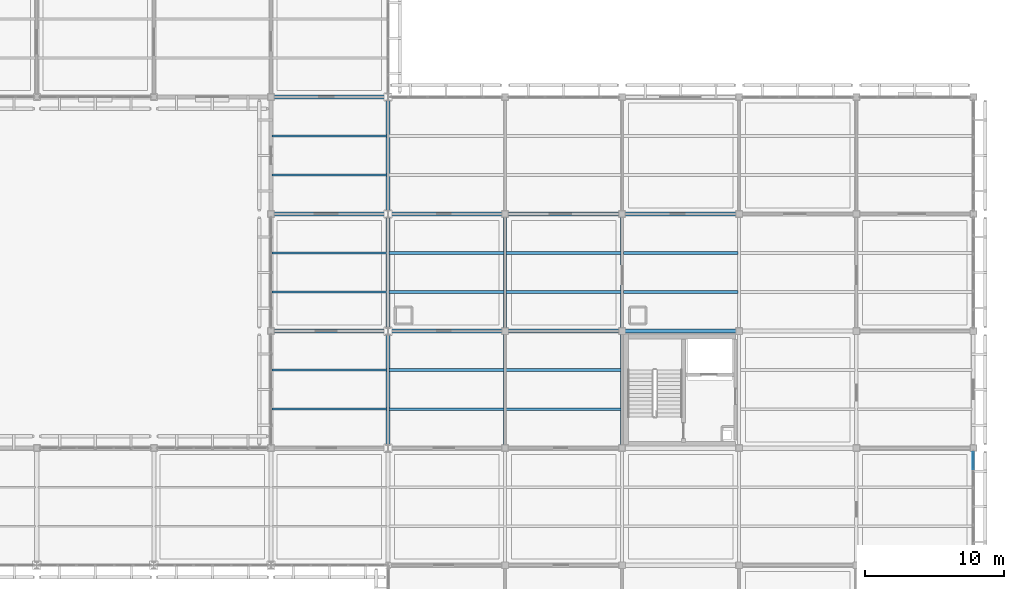
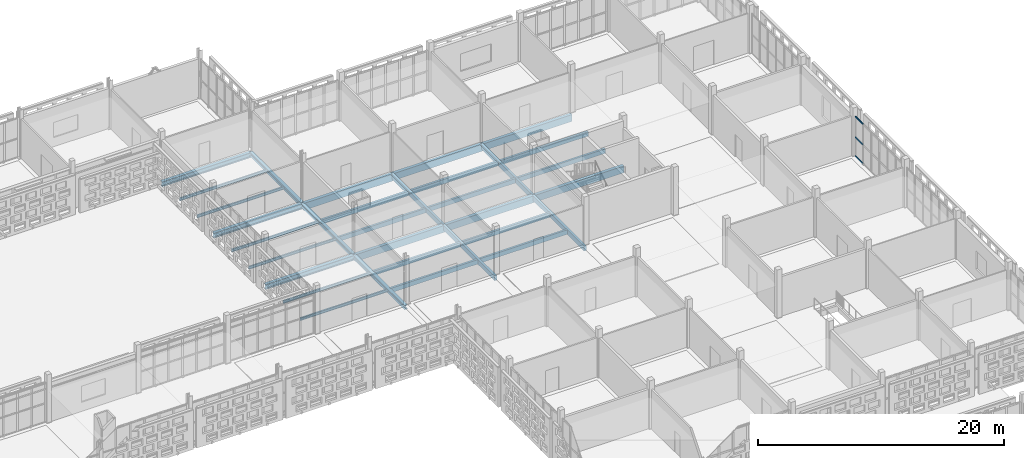
# One storey, part 82 of 203: 32 beams, 3 members, 1 element without a shape of its own.
"""IFC4 building model written with IfcOpenShell, lengths in metres."""

import ifcopenshell
import ifcopenshell.guid

model = None  # the IFC model being written
_history = None  # IfcOwnerHistory: only IFC2X3 demands one
_inside = {}  # id of a spatial element -> (the spatial element, [elements in it])
_under = {}  # id of a project, library or spatial element -> (it, [spatial elements below it])
_declared = {}  # id of a project -> (the project, [libraries it declares])
_typed = {}  # id of a type object -> (the type object, [elements of that type])
_made_of = {}  # id of a material, layer set ... -> (it, [elements and type objects made of it])


def new_model(schema):
    """Start an empty IFC model of exactly this schema.

    Asked for "IFC4X3", IfcOpenShell would pick the latest addendum, in which some entities
    have other attributes; the version numbers below select the first issue.
    IFC2X3 requires an IfcOwnerHistory on every rooted entity: one is made here for all.
    """
    global model, _history
    if schema == "IFC4X3":
        model = ifcopenshell.file(schema_version=(4, 3, 0, 0))
    else:
        model = ifcopenshell.file(schema=schema)
    _inside.clear()
    _under.clear()
    _declared.clear()
    _typed.clear()
    _made_of.clear()
    _history = None
    if model.schema == "IFC2X3":
        org = make("IfcOrganization", Name="unknown")
        user = make(
            "IfcPersonAndOrganization",
            ThePerson=make("IfcPerson", FamilyName="unknown"),
            TheOrganization=org,
        )
        app = make(
            "IfcApplication",
            ApplicationDeveloper=org,
            Version="unknown",
            ApplicationFullName="unknown",
            ApplicationIdentifier="unknown",
        )
        _history = make(
            "IfcOwnerHistory",
            OwningUser=user,
            OwningApplication=app,
            ChangeAction="ADDED",
            CreationDate=0,
        )
    return model


def make(cls, **values):
    """One entity of the class cls with the attributes given. An attribute that is None is left unset."""
    return model.create_entity(
        cls, **{name: value for name, value in values.items() if value is not None}
    )


def rooted(cls, **values):
    """An entity with a GlobalId (a new one), such as an element, a storey or a relation."""
    return make(cls, GlobalId=ifcopenshell.guid.new(), OwnerHistory=_history, **values)


def si_unit(unit_type, name, prefix=None):
    """IfcSIUnit, for example si_unit("LENGTHUNIT", "METRE", prefix="MILLI")."""
    return make("IfcSIUnit", UnitType=unit_type, Prefix=prefix, Name=name)


def assignment(units):
    """IfcUnitAssignment: the units of a project."""
    return None if units is None else make("IfcUnitAssignment", Units=units)


def point(xyz):
    """IfcCartesianPoint."""
    return None if xyz is None else make("IfcCartesianPoint", Coordinates=xyz)


def direction(xyz):
    """IfcDirection."""
    return None if xyz is None else make("IfcDirection", DirectionRatios=xyz)


def frame(location, z_axis=None, x_axis=None):
    """IfcAxis2Placement3D, a coordinate frame: its origin and axes. An axis left out is left unset."""
    return make(
        "IfcAxis2Placement3D",
        Location=point(location),
        Axis=direction(z_axis),
        RefDirection=direction(x_axis),
    )


def frame_2d(location, x_axis=None):
    """IfcAxis2Placement2D, a coordinate frame in the plane: its origin and x axis."""
    return make(
        "IfcAxis2Placement2D", Location=point(location), RefDirection=direction(x_axis)
    )


def origin():
    """The frame at (0, 0, 0) with its axes left unset."""
    return frame((0.0, 0.0, 0.0))


def origin_2d():
    """The frame at (0, 0) in the plane with its x axis left unset."""
    return frame_2d((0.0, 0.0))


def place(relative_to, where):
    """IfcLocalPlacement: puts the frame where relative to a parent placement (None: the world)."""
    return make(
        "IfcLocalPlacement", PlacementRelTo=relative_to, RelativePlacement=where
    )


def context(
    kind, dimensions, precision=None, world=None, true_north=None, identifier=None
):
    """IfcGeometricRepresentationContext, for example the 3D "Model" context."""
    return make(
        "IfcGeometricRepresentationContext",
        ContextIdentifier=identifier,
        ContextType=kind,
        CoordinateSpaceDimension=dimensions,
        Precision=precision,
        WorldCoordinateSystem=world,
        TrueNorth=true_north,
    )


def subcontext(parent, identifier, kind, view, scale=None):
    """IfcGeometricRepresentationSubContext, for example "Body" below "Model"."""
    return make(
        "IfcGeometricRepresentationSubContext",
        ContextIdentifier=identifier,
        ContextType=kind,
        ParentContext=parent,
        TargetScale=scale,
        TargetView=view,
    )


def project(units=None, contexts=None):
    """IfcProject with its units and contexts."""
    return rooted(
        "IfcProject",
        Name="project",
        RepresentationContexts=contexts,
        UnitsInContext=assignment(units),
    )


def spatial(cls, under=None, at=None, **own):
    """A site, building, storey or space (cls), placed at a placement, below another one or the project."""
    s = rooted(cls, ObjectPlacement=at, **own)
    if under is not None:
        _under.setdefault(under.id(), (under, []))[1].append(s)
    return s


def profile(cls, at=None, kind="AREA", **sizes):
    """A parametric profile (cls). Its sizes go by their IFC names, for example OverallWidth=200.0."""
    return make(cls, ProfileType=kind, Position=at, **sizes)


def rectangle(**sizes):
    """IfcRectangleProfileDef."""
    return profile("IfcRectangleProfileDef", **sizes)


def i_section(**sizes):
    """IfcIShapeProfileDef."""
    return profile("IfcIShapeProfileDef", **sizes)


def extrude(swept, where, along, depth):
    """IfcExtrudedAreaSolid: the profile swept, set in the frame where, extruded along a direction by depth."""
    return make(
        "IfcExtrudedAreaSolid",
        SweptArea=swept,
        Position=where,
        ExtrudedDirection=direction(along),
        Depth=depth,
    )


def shape(context_of_items, identifier, shape_type, items):
    """IfcShapeRepresentation: the items that make up one representation, for example the "Body"."""
    return make(
        "IfcShapeRepresentation",
        ContextOfItems=context_of_items,
        RepresentationIdentifier=identifier,
        RepresentationType=shape_type,
        Items=items,
    )


def material(Name=None, Category=None):
    """IfcMaterial."""
    return make("IfcMaterial", Name=Name, Category=Category)


def layer(
    of_material, thickness, ventilated=None, Name=None, Category=None, Priority=None
):
    """IfcMaterialLayer: one layer of a wall or slab, of a material (None: an air gap)."""
    return make(
        "IfcMaterialLayer",
        Material=of_material,
        LayerThickness=thickness,
        IsVentilated=ventilated,
        Name=Name,
        Category=Category,
        Priority=Priority,
    )


def layer_set(layers, Name=None):
    """IfcMaterialLayerSet."""
    return make("IfcMaterialLayerSet", MaterialLayers=layers, LayerSetName=Name)


def material_profile(
    of_material, cross_section, Name=None, Category=None, Priority=None
):
    """IfcMaterialProfile: a cross section and its material."""
    return make(
        "IfcMaterialProfile",
        Name=Name,
        Material=of_material,
        Profile=cross_section,
        Priority=Priority,
        Category=Category,
    )


def profile_set(profiles, Name=None, composite=None):
    """IfcMaterialProfileSet."""
    return make(
        "IfcMaterialProfileSet",
        Name=Name,
        MaterialProfiles=profiles,
        CompositeProfile=composite,
    )


def made_of(thing, what):
    """Note that an element or type object is made of a material, layer set ...; save() writes the relation."""
    if what is not None:
        _made_of.setdefault(what.id(), (what, []))[1].append(thing)
    return thing


def type_object(cls, material=None, **own):
    """A type object (cls), such as IfcWallType, which elements share."""
    return made_of(rooted(cls, **own), material)


def element(
    cls,
    number,
    at=None,
    inside=None,
    cuts=None,
    type_object=None,
    material=None,
    context=None,
    identifier="Body",
    shape_type=None,
    held_by="IfcProductDefinitionShape",
    body=None,
    shapes=None,
    **own,
):
    """One element of the class cls, such as IfcWall. Its Tag is "e" and its number.

    at: its placement. inside: the storey or other place that contains it. cuts: it is an
    opening in that element (IfcRelVoidsElement). A single representation is given by context,
    identifier, shape_type and body (its items); several are given by shapes. held_by: the class
    of the entity that holds the representations. save() writes the other relations.
    """
    e = rooted(cls, Tag="e%d" % number, ObjectPlacement=at, **own)
    if body is not None:
        shapes = [shape(context, identifier, shape_type, body)]
    if shapes is not None:
        e.Representation = make(held_by, Representations=shapes)
    if inside is not None:
        _inside.setdefault(inside.id(), (inside, []))[1].append(e)
    if cuts is not None:
        rooted(
            "IfcRelVoidsElement", RelatingBuildingElement=cuts, RelatedOpeningElement=e
        )
    if type_object is not None:
        _typed.setdefault(type_object.id(), (type_object, []))[1].append(e)
    return made_of(e, material)


def aggregate(whole, parts):
    """IfcRelAggregates: a whole, such as a stair, and the parts it consists of."""
    return rooted("IfcRelAggregates", RelatingObject=whole, RelatedObjects=parts)


def save(model, path):
    """Write the relations noted so far, then the file.

    IfcRelAggregates (storeys below a building ...), IfcRelContainedInSpatialStructure (elements
    in a storey), IfcRelDefinesByType, IfcRelAssociatesMaterial and IfcRelDeclares: one each for
    every whole, place, type object, material and project.
    """
    for whole, parts in _under.values():
        aggregate(whole, parts)
    for where, things in _inside.values():
        rooted(
            "IfcRelContainedInSpatialStructure",
            RelatedElements=things,
            RelatingStructure=where,
        )
    for kind, things in _typed.values():
        rooted("IfcRelDefinesByType", RelatedObjects=things, RelatingType=kind)
    for what, things in _made_of.values():
        rooted("IfcRelAssociatesMaterial", RelatedObjects=things, RelatingMaterial=what)
    for by, libraries in _declared.values():
        rooted("IfcRelDeclares", RelatingContext=by, RelatedDefinitions=libraries)
    model.write(path)


model = new_model("IFC4")

# Units and contexts
model_context = context("Model", 3, precision=1e-05, world=origin(), true_north=direction((0.0, 1.0)))
body_context = subcontext(model_context, "Body", "Model", "MODEL_VIEW")
ifc_project = project(units=[si_unit("LENGTHUNIT", "METRE"), si_unit("AREAUNIT", "SQUARE_METRE"), si_unit("VOLUMEUNIT", "CUBIC_METRE"), si_unit("PLANEANGLEUNIT", "RADIAN"), si_unit("MASSUNIT", "GRAM", prefix="KILO")], contexts=[model_context])

# Site, building, storey
site_placement = place(None, origin())
site = spatial("IfcSite", under=ifc_project, at=site_placement, CompositionType="ELEMENT")
building_placement = place(site_placement, origin())
building = spatial("IfcBuilding", under=site, at=building_placement, Name="Varnapada Polytechnic", CompositionType="ELEMENT")
storey_placement = place(building_placement, frame((0.0, 0.0, 4.800048828125)))
storey = spatial("IfcBuildingStorey", under=building, at=storey_placement, Name="L01", CompositionType="ELEMENT", Elevation=4.800048828125)

# Beams
ifc_material_1 = material(Name="Glulam GL32h", Category="wood")
ifc_material_profile_1 = material_profile(ifc_material_1, rectangle(XDim=0.199951171875, YDim=0.43994140625, at=origin_2d()), Name="GL 200x440")
ifc_profile_set_1 = profile_set([ifc_material_profile_1], Name="Glulam GL32h")
beam_type_1 = type_object("IfcBeamType", Name="Heavy laboratory glulam joist GJ-03 (GL 200x440)", PredefinedType="JOIST", material=ifc_profile_set_1)
for number, where, z_axis, x_axis, name in (
    (1, (134.47998046875, 95.199951171875, -0.47998046875), (1.0, 0.0, 0.0), (0.0, 1.0, 0.0), "L01 floor joist 17/12.1"),
    (2, (134.47998046875, 98.0, -0.47998046875), (1.0, 0.0, 0.0), (0.0, 1.0, 0.0), "L01 floor joist 17/12.2"),
    (3, (134.47998046875, 103.60009765625, -0.47998046875), (1.0, 0.0, 0.0), (0.0, 1.0, 0.0), "L01 floor joist 17/13.1"),
    (4, (134.47998046875, 106.39990234375, -0.47998046875), (1.0, 0.0, 0.0), (0.0, 1.0, 0.0), "L01 floor joist 17/13.2"),
):
    element("IfcBeam", number, at=place(storey_placement, frame(where, z_axis=z_axis, x_axis=x_axis)), inside=storey, type_object=beam_type_1, Name=name, PredefinedType="JOIST", context=body_context, shape_type="SweptSolid", body=[
        extrude(rectangle(XDim=0.199951171875, YDim=0.43994140625, at=origin_2d()), origin(), (0.0, 0.0, 1.0), 8.239990234375),
    ])
for number, where, z_axis, x_axis, name in (
    (5, (142.8798828125, 95.199951171875, -0.469970703125), (1.0, 0.0, 0.0), (0.0, 1.0, 0.0), "L01 floor joist 18/12.1"),
    (6, (142.8798828125, 98.0, -0.469970703125), (1.0, 0.0, 0.0), (0.0, 1.0, 0.0), "L01 floor joist 18/12.2"),
    (7, (142.8798828125, 103.60009765625, -0.469970703125), (1.0, 0.0, 0.0), (0.0, 1.0, 0.0), "L01 floor joist 18/13.1"),
    (8, (142.8798828125, 106.39990234375, -0.469970703125), (1.0, 0.0, 0.0), (0.0, 1.0, 0.0), "L01 floor joist 18/13.2"),
):
    element("IfcBeam", number, at=place(storey_placement, frame(where, z_axis=z_axis, x_axis=x_axis)), inside=storey, type_object=beam_type_1, Name=name, PredefinedType="JOIST", context=body_context, shape_type="SweptSolid", body=[
        extrude(rectangle(XDim=0.199951171875, YDim=0.43994140625, at=origin_2d()), origin(), (0.0, 0.0, 1.0), 8.240234375),
    ])
for number, where, z_axis, x_axis, name in (
    (9, (151.280029296875, 103.60009765625, -0.469970703125), (1.0, 0.0, 0.0), (0.0, 1.0, 0.0), "L01 floor joist 19/13.1"),
    (10, (151.280029296875, 106.39990234375, -0.469970703125), (1.0, 0.0, 0.0), (0.0, 1.0, 0.0), "L01 floor joist 19/13.2"),
):
    element("IfcBeam", number, at=place(storey_placement, frame(where, z_axis=z_axis, x_axis=x_axis)), inside=storey, type_object=beam_type_1, Name=name, PredefinedType="JOIST", context=body_context, shape_type="SweptSolid", body=[
        extrude(rectangle(XDim=0.199951171875, YDim=0.43994140625, at=origin_2d()), origin(), (0.0, 0.0, 1.0), 8.239990234375),
    ])
ifc_material_2 = material(Name="Steel S355", Category="steel")
ifc_material_profile_2 = material_profile(ifc_material_2, i_section(OverallWidth=0.135009765625, OverallDepth=0.27001953125, WebThickness=0.006591796875, FlangeThickness=0.01025390625, FilletRadius=0.014892578125, at=origin_2d()), Name="IPE 270")
ifc_profile_set_2 = profile_set([ifc_material_profile_2], Name="Steel S355")
beam_type_2 = type_object("IfcBeamType", Name="Mezzanine heavy steel joist SJ-03 (IPE 270)", PredefinedType="JOIST", material=ifc_profile_set_2)
for number, where, z_axis, x_axis, name in (
    (11, (126.080078125, 95.199951171875, -0.405029296875), (1.0, 0.0, 0.0), (0.0, 1.0, 0.0), "L01 floor joist 16/12.1"),
    (12, (126.080078125, 98.0, -0.405029296875), (1.0, 0.0, 0.0), (0.0, 1.0, 0.0), "L01 floor joist 16/12.2"),
    (13, (126.080078125, 103.60009765625, -0.405029296875), (1.0, 0.0, 0.0), (0.0, 1.0, 0.0), "L01 floor joist 16/13.1"),
    (14, (126.080078125, 106.39990234375, -0.405029296875), (1.0, 0.0, 0.0), (0.0, 1.0, 0.0), "L01 floor joist 16/13.2"),
    (15, (126.080078125, 112.0, -0.405029296875), (1.0, 0.0, 0.0), (0.0, 1.0, 0.0), "L01 floor joist 16/14.1"),
    (16, (126.080078125, 114.800048828125, -0.405029296875), (1.0, 0.0, 0.0), (0.0, 1.0, 0.0), "L01 floor joist 16/14.2"),
):
    element("IfcBeam", number, at=place(storey_placement, frame(where, z_axis=z_axis, x_axis=x_axis)), inside=storey, type_object=beam_type_2, Name=name, PredefinedType="JOIST", context=body_context, shape_type="SweptSolid", body=[
        extrude(i_section(OverallWidth=0.135009765625, OverallDepth=0.27001953125, WebThickness=0.006591796875, FlangeThickness=0.01025390625, FilletRadius=0.014892578125, at=origin_2d()), origin(), (0.0, 0.0, 1.0), 8.239990234375),
    ])
ifc_material_profile_3 = material_profile(ifc_material_2, i_section(OverallWidth=0.300048828125, OverallDepth=0.389892578125, WebThickness=0.010986328125, FlangeThickness=0.01904296875, FilletRadius=0.027099609375, at=origin_2d()), Name="HEA 400")
ifc_profile_set_3 = profile_set([ifc_material_profile_3], Name="Steel S355")
beam_type_3 = type_object("IfcBeamType", Name="Steel roof primary girder SG-01 (HEA 400)", PredefinedType="BEAM", material=ifc_profile_set_3)
beam_1_placement = place(storey_placement, frame((134.39990234375, 92.39990234375, -0.455078125), z_axis=(0.0, 1.0, 0.0), x_axis=(-1.0, 0.0, 0.0)))
element("IfcBeam", 17, at=beam_1_placement, inside=storey, type_object=beam_type_3, Name="L01 beam Y 12-13 at X17", PredefinedType="BEAM", context=body_context, shape_type="SweptSolid", body=[
    extrude(i_section(OverallWidth=0.300048828125, OverallDepth=0.389892578125, WebThickness=0.010986328125, FlangeThickness=0.01904296875, FilletRadius=0.027099609375, at=origin_2d()), origin(), (0.0, 0.0, 1.0), 8.400146484375),
])
beam_2_placement = place(storey_placement, frame((134.39990234375, 100.800048828125, -0.455078125), z_axis=(0.0, 1.0, 0.0), x_axis=(-1.0, 0.0, 0.0)))
element("IfcBeam", 18, at=beam_2_placement, inside=storey, type_object=beam_type_3, Name="L01 beam Y 13-14 at X17", PredefinedType="BEAM", context=body_context, shape_type="SweptSolid", body=[
    extrude(i_section(OverallWidth=0.300048828125, OverallDepth=0.389892578125, WebThickness=0.010986328125, FlangeThickness=0.01904296875, FilletRadius=0.027099609375, at=origin_2d()), origin(), (0.0, 0.0, 1.0), 8.39990234375),
])
beam_3_placement = place(storey_placement, frame((134.39990234375, 109.199951171875, -0.455078125), z_axis=(0.0, 1.0, 0.0), x_axis=(-1.0, 0.0, 0.0)))
element("IfcBeam", 19, at=beam_3_placement, inside=storey, type_object=beam_type_3, Name="L01 beam Y 14-15 at X17", PredefinedType="BEAM", context=body_context, shape_type="SweptSolid", body=[
    extrude(i_section(OverallWidth=0.300048828125, OverallDepth=0.389892578125, WebThickness=0.010986328125, FlangeThickness=0.01904296875, FilletRadius=0.027099609375, at=origin_2d()), origin(), (0.0, 0.0, 1.0), 8.400146484375),
])

# Curtain wall, members
ifc_material_3 = material(Name="Double low-E laminated glass", Category="glass")
ifc_layer = layer(ifc_material_3, 0.179931640625)
ifc_layer_set = layer_set([ifc_layer], Name="Double low-E laminated glass")
curtain_wall_type = type_object("IfcCurtainWallType", Name="Curtain Wall CW-04", PredefinedType="NOTDEFINED", material=ifc_layer_set)
curtain_wall_placement = place(storey_placement, origin())
curtain_wall = element("IfcCurtainWall", 20, at=curtain_wall_placement, inside=storey, type_object=curtain_wall_type, Name="L01 unitised curtain wall CW-04 (124)", PredefinedType="NOTDEFINED")
ifc_material_4 = material(Name="Anodised aluminium", Category="aluminium")
ifc_material_profile_4 = material_profile(ifc_material_4, rectangle(XDim=0.06494140625, YDim=0.139892578125, at=origin_2d()), Name="ALU T65x140")
ifc_profile_set_4 = profile_set([ifc_material_profile_4], Name="Anodised aluminium")
member_type = type_object("IfcMemberType", Name="Transom T-02", PredefinedType="USERDEFINED", material=ifc_profile_set_4)
member_1_placement = place(storey_placement, frame((176.39990234375, 92.114990234375, 0.032470703125), z_axis=(0.0, -1.0, 0.0), x_axis=(1.0, 0.0, 0.0)))
member_1 = element("IfcMember", 21, at=member_1_placement, type_object=member_type, Name="CW-04 transom 1.1", ObjectType="TRANSOM", PredefinedType="USERDEFINED", context=body_context, shape_type="SweptSolid", body=[
    extrude(rectangle(XDim=0.06494140625, YDim=0.139892578125, at=origin_2d()), origin(), (0.0, 0.0, 1.0), 1.2275390625),
])
member_2_placement = place(storey_placement, frame((176.39990234375, 92.114990234375, 1.900634765625), z_axis=(0.0, -1.0, 0.0), x_axis=(1.0, 0.0, 0.0)))
member_2 = element("IfcMember", 22, at=member_2_placement, type_object=member_type, Name="CW-04 transom 1.2", ObjectType="TRANSOM", PredefinedType="USERDEFINED", context=body_context, shape_type="SweptSolid", body=[
    extrude(rectangle(XDim=0.06494140625, YDim=0.139892578125, at=origin_2d()), origin(), (0.0, 0.0, 1.0), 1.2275390625),
])
member_3_placement = place(storey_placement, frame((176.39990234375, 92.114990234375, 3.927490234375), z_axis=(0.0, -1.0, 0.0), x_axis=(1.0, 0.0, 0.0)))
member_3 = element("IfcMember", 23, at=member_3_placement, type_object=member_type, Name="CW-04 transom 1.3", ObjectType="TRANSOM", PredefinedType="USERDEFINED", context=body_context, shape_type="SweptSolid", body=[
    extrude(rectangle(XDim=0.06494140625, YDim=0.139892578125, at=origin_2d()), origin(), (0.0, 0.0, 1.0), 1.2275390625),
])
aggregate(curtain_wall, [member_1, member_2, member_3])

# Beams
ifc_material_profile_5 = material_profile(ifc_material_1, rectangle(XDim=0.219970703125, YDim=0.47998046875, at=origin_2d()), Name="GL 220x480")
ifc_profile_set_5 = profile_set([ifc_material_profile_5], Name="Glulam GL32h")
beam_type_4 = type_object("IfcBeamType", Name="Upper floor glulam tie beam GB-11 (GL 220x480)", PredefinedType="BEAM", material=ifc_profile_set_5)
beam_4_placement = place(storey_placement, frame((142.800048828125, 92.39990234375, -0.489990234375), z_axis=(0.0, 1.0, 0.0), x_axis=(-1.0, 0.0, 0.0)))
element("IfcBeam", 24, at=beam_4_placement, inside=storey, type_object=beam_type_4, Name="L01 beam Y 12-13 at X18", PredefinedType="BEAM", context=body_context, shape_type="SweptSolid", body=[
    extrude(rectangle(XDim=0.219970703125, YDim=0.47998046875, at=origin_2d()), origin(), (0.0, 0.0, 1.0), 8.400146484375),
])
beam_5_placement = place(storey_placement, frame((142.800048828125, 100.800048828125, -0.489990234375), z_axis=(0.0, 1.0, 0.0), x_axis=(-1.0, 0.0, 0.0)))
element("IfcBeam", 25, at=beam_5_placement, inside=storey, type_object=beam_type_4, Name="L01 beam Y 13-14 at X18", PredefinedType="BEAM", context=body_context, shape_type="SweptSolid", body=[
    extrude(rectangle(XDim=0.219970703125, YDim=0.47998046875, at=origin_2d()), origin(), (0.0, 0.0, 1.0), 8.39990234375),
])
beam_6_placement = place(storey_placement, frame((151.199951171875, 92.39990234375, -0.489990234375), z_axis=(0.0, 1.0, 0.0), x_axis=(-1.0, 0.0, 0.0)))
element("IfcBeam", 26, at=beam_6_placement, inside=storey, type_object=beam_type_4, Name="L01 beam Y 12-13 at X19", PredefinedType="BEAM", context=body_context, shape_type="SweptSolid", body=[
    extrude(rectangle(XDim=0.219970703125, YDim=0.47998046875, at=origin_2d()), origin(), (0.0, 0.0, 1.0), 8.400146484375),
])
beam_7_placement = place(storey_placement, frame((151.199951171875, 100.800048828125, -0.489990234375), z_axis=(0.0, 1.0, 0.0), x_axis=(-1.0, 0.0, 0.0)))
element("IfcBeam", 27, at=beam_7_placement, inside=storey, type_object=beam_type_4, Name="L01 beam Y 13-14 at X19", PredefinedType="BEAM", context=body_context, shape_type="SweptSolid", body=[
    extrude(rectangle(XDim=0.219970703125, YDim=0.47998046875, at=origin_2d()), origin(), (0.0, 0.0, 1.0), 8.39990234375),
])
ifc_material_profile_6 = material_profile(ifc_material_1, rectangle(XDim=0.300048828125, YDim=0.679931640625, at=origin_2d()), Name="GL 300x680")
ifc_profile_set_6 = profile_set([ifc_material_profile_6], Name="Glulam GL32h")
beam_type_5 = type_object("IfcBeamType", Name="Wet laboratory glulam girder GG-04 (GL 300x680)", PredefinedType="BEAM", material=ifc_profile_set_6)
for number, where, z_axis, x_axis, name in (
    (28, (134.39990234375, 100.800048828125, -0.60009765625), (1.0, 0.0, 0.0), (0.0, 1.0, 0.0), "L01 beam X 17-18 at Y13"),
    (29, (134.39990234375, 109.199951171875, -0.60009765625), (1.0, 0.0, 0.0), (0.0, 1.0, 0.0), "L01 beam X 17-18 at Y14"),
):
    element("IfcBeam", number, at=place(storey_placement, frame(where, z_axis=z_axis, x_axis=x_axis)), inside=storey, type_object=beam_type_5, Name=name, PredefinedType="BEAM", context=body_context, shape_type="SweptSolid", body=[
        extrude(rectangle(XDim=0.300048828125, YDim=0.679931640625, at=origin_2d()), origin(), (0.0, 0.0, 1.0), 8.400146484375),
    ])
for number, where, z_axis, x_axis, name in (
    (30, (142.800048828125, 100.800048828125, -0.590087890625), (1.0, 0.0, 0.0), (0.0, 1.0, 0.0), "L01 beam X 18-19 at Y13"),
    (31, (142.800048828125, 109.199951171875, -0.590087890625), (1.0, 0.0, 0.0), (0.0, 1.0, 0.0), "L01 beam X 18-19 at Y14"),
):
    element("IfcBeam", number, at=place(storey_placement, frame(where, z_axis=z_axis, x_axis=x_axis)), inside=storey, type_object=beam_type_5, Name=name, PredefinedType="BEAM", context=body_context, shape_type="SweptSolid", body=[
        extrude(rectangle(XDim=0.300048828125, YDim=0.679931640625, at=origin_2d()), origin(), (0.0, 0.0, 1.0), 8.39990234375),
    ])
for number, where, z_axis, x_axis, name in (
    (32, (151.199951171875, 100.800048828125, -0.590087890625), (1.0, 0.0, 0.0), (0.0, 1.0, 0.0), "L01 beam X 19-20 at Y13"),
    (33, (151.199951171875, 109.199951171875, -0.590087890625), (1.0, 0.0, 0.0), (0.0, 1.0, 0.0), "L01 beam X 19-20 at Y14"),
):
    element("IfcBeam", number, at=place(storey_placement, frame(where, z_axis=z_axis, x_axis=x_axis)), inside=storey, type_object=beam_type_5, Name=name, PredefinedType="BEAM", context=body_context, shape_type="SweptSolid", body=[
        extrude(rectangle(XDim=0.300048828125, YDim=0.679931640625, at=origin_2d()), origin(), (0.0, 0.0, 1.0), 8.400146484375),
    ])
ifc_material_profile_7 = material_profile(ifc_material_2, i_section(OverallWidth=0.300048828125, OverallDepth=0.489990234375, WebThickness=0.011962890625, FlangeThickness=0.02294921875, FilletRadius=0.027099609375, at=origin_2d()), Name="HEA 500")
ifc_profile_set_7 = profile_set([ifc_material_profile_7], Name="Steel S355")
beam_type_6 = type_object("IfcBeamType", Name="Workshop gallery edge girder CR-02 (HEA 500)", PredefinedType="BEAM", material=ifc_profile_set_7)
for number, where, z_axis, x_axis, name in (
    (34, (126.0, 100.800048828125, -0.51513671875), (1.0, 0.0, 0.0), (0.0, 1.0, 0.0), "L01 beam X 16-17 at Y13"),
    (35, (126.0, 109.199951171875, -0.51513671875), (1.0, 0.0, 0.0), (0.0, 1.0, 0.0), "L01 beam X 16-17 at Y14"),
    (36, (126.0, 117.60009765625, -0.51513671875), (1.0, 0.0, 0.0), (0.0, 1.0, 0.0), "L01 beam X 16-17 at Y15"),
):
    element("IfcBeam", number, at=place(storey_placement, frame(where, z_axis=z_axis, x_axis=x_axis)), inside=storey, type_object=beam_type_6, Name=name, PredefinedType="BEAM", context=body_context, shape_type="SweptSolid", body=[
        extrude(i_section(OverallWidth=0.300048828125, OverallDepth=0.489990234375, WebThickness=0.011962890625, FlangeThickness=0.02294921875, FilletRadius=0.027099609375, at=origin_2d()), origin(), (0.0, 0.0, 1.0), 8.39990234375),
    ])

save(model, "model.ifc")
